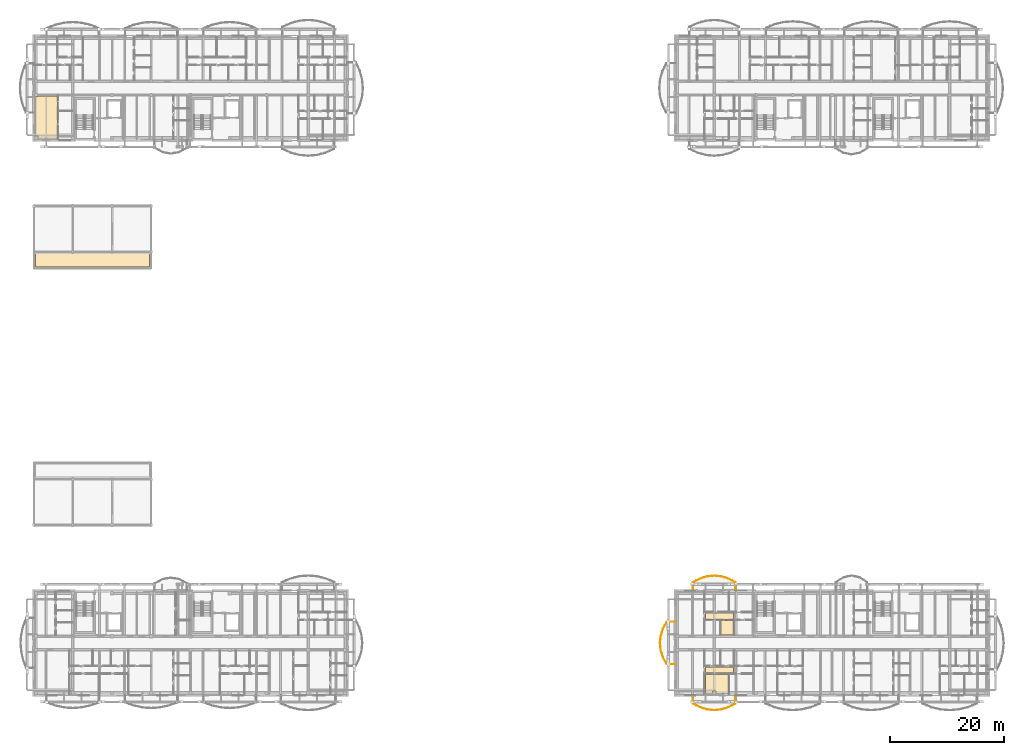
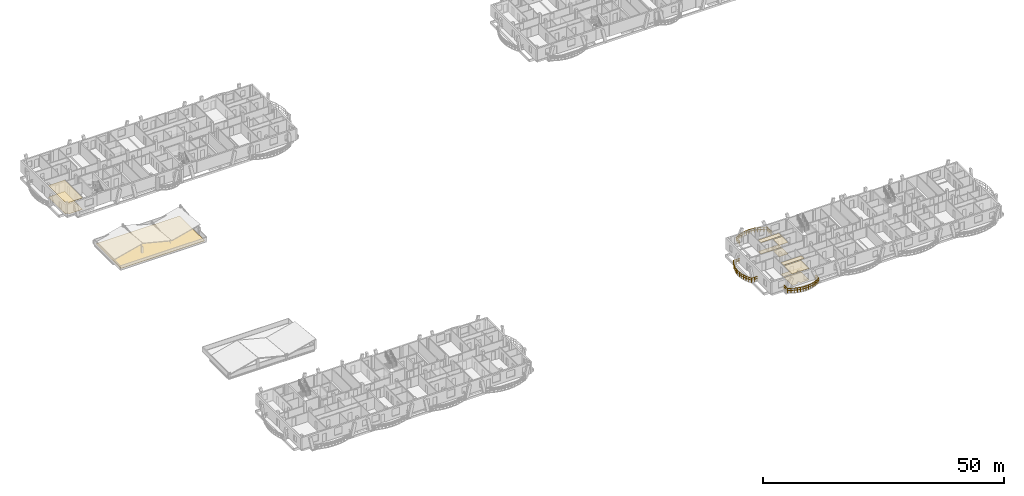
# One storey, part 42 of 50: 11 coverings, 3 railings.
"""IFC4 building model written with IfcOpenShell, lengths in metres."""

from ifc_helpers import new_model, si_unit, direction, frame, origin, origin_2d, place, context, subcontext, project, spatial, polyline, rectangle, outline, extrude, material, layer, layer_set, type_object, element, save


model = new_model("IFC4")

# Units and contexts
model_context = context("Model", 3, precision=1e-05, world=origin(), true_north=direction((0.0, 1.0)))
body_context = subcontext(model_context, "Body", "Model", "MODEL_VIEW")
ifc_project = project(units=[si_unit("LENGTHUNIT", "METRE"), si_unit("AREAUNIT", "SQUARE_METRE"), si_unit("VOLUMEUNIT", "CUBIC_METRE"), si_unit("PLANEANGLEUNIT", "RADIAN"), si_unit("MASSUNIT", "GRAM", prefix="KILO")], contexts=[model_context])

# Site, building, storey
site_placement = place(None, origin())
site = spatial("IfcSite", under=ifc_project, at=site_placement, CompositionType="ELEMENT")
building_placement = place(site_placement, origin())
building = spatial("IfcBuilding", under=site, at=building_placement, Name="Zavelmont Quarter", CompositionType="ELEMENT")
storey_placement = place(building_placement, frame((0.0, 0.0, 11.199951171875)))
storey = spatial("IfcBuildingStorey", under=building, at=storey_placement, Name="L03", CompositionType="ELEMENT", Elevation=11.199951171875)

# Coverings
ifc_material_1 = material(Name="Perforated acoustic gypsum board")
ifc_layer_1 = layer(ifc_material_1, 0.02490234375)
ifc_layer_set_1 = layer_set([ifc_layer_1], Name="Perforated acoustic gypsum board")
covering_type_1 = type_object("IfcCoveringType", Name="CV-CL01", PredefinedType="CEILING", material=ifc_layer_set_1)
covering_1_placement = place(storey_placement, frame((0.0, 0.0, 2.9150390625)))
element("IfcCovering", 1, at=covering_1_placement, inside=storey, type_object=covering_type_1, Name="L03 Residents Study Lounge acoustic ceiling", PredefinedType="CEILING", context=body_context, shape_type="SweptSolid", body=[
    extrude(outline(polyline([(0.22998046875, 105.31005859375), (0.72998046875, 105.31005859375), (0.72998046875, 105.3701171875), (4.169921875, 105.3701171875), (4.169921875, 97.8798828125), (0.72998046875, 97.8798828125), (0.72998046875, 98.330078125), (0.22998046875, 98.330078125), (0.22998046875, 105.31005859375)])), origin(), (0.0, 0.0, 1.0), 0.02490234375),
])
covering_2_placement = place(storey_placement, frame((0.0, 0.0, 2.9150390625)))
element("IfcCovering", 2, at=covering_2_placement, inside=storey, type_object=covering_type_1, Name="L03 Master Bedroom acoustic ceiling", PredefinedType="CEILING", context=body_context, shape_type="SweptSolid", body=[
    extrude(outline(polyline([(118.1298828125, 3.669921875), (122.169921875, 3.669921875), (122.169921875, 0.280029296875), (119.989990234375, 0.280029296875), (119.989990234375, 0.72998046875), (119.409912109375, 0.72998046875), (119.409912109375, 0.280029296875), (118.1298828125, 0.280029296875), (118.1298828125, 3.669921875)])), origin(), (0.0, 0.0, 1.0), 0.02490234375),
])
ifc_material_2 = material(Name="Slatted European ash acoustic baffle ceiling")
ifc_layer_2 = layer(ifc_material_2, 0.0400390625)
ifc_layer_set_2 = layer_set([ifc_layer_2], Name="Slatted European ash acoustic baffle ceiling")
covering_type_2 = type_object("IfcCoveringType", Name="CV-CL02", PredefinedType="CEILING", material=ifc_layer_set_2)
covering_3_placement = place(storey_placement, frame((0.0, 0.0, 2.900146484375)))
element("IfcCovering", 3, at=covering_3_placement, inside=storey, type_object=covering_type_2, Name="L03 Apartment Hall acoustic ceiling", PredefinedType="CEILING", context=body_context, shape_type="SweptSolid", body=[
    extrude(outline(polyline([(118.1298828125, 5.02001953125), (123.070068359375, 5.02001953125), (123.070068359375, 3.929931640625), (118.1298828125, 3.929931640625), (118.1298828125, 5.02001953125)])), origin(), (0.0, 0.0, 1.0), 0.039794921875),
])
covering_4_placement = place(storey_placement, frame((0.0, 0.0, 2.900146484375)))
element("IfcCovering", 4, at=covering_4_placement, inside=storey, type_object=covering_type_2, Name="L03 Apartment Hall acoustic ceiling", PredefinedType="CEILING", context=body_context, shape_type="SweptSolid", body=[
    extrude(outline(polyline([(118.1298828125, 14.469970703125), (123.070068359375, 14.469970703125), (123.070068359375, 13.3798828125), (118.1298828125, 13.3798828125), (118.1298828125, 14.469970703125)])), origin(), (0.0, 0.0, 1.0), 0.039794921875),
])
ifc_material_3 = material(Name="Moisture-resistant painted gypsum ceiling")
ifc_layer_3 = layer(ifc_material_3, 0.02001953125)
ifc_layer_set_3 = layer_set([ifc_layer_3], Name="Moisture-resistant painted gypsum ceiling")
covering_type_3 = type_object("IfcCoveringType", Name="CV-CL04", PredefinedType="CEILING", material=ifc_layer_set_3)
covering_5_placement = place(storey_placement, frame((0.0, 0.0, 2.920166015625)))
element("IfcCovering", 5, at=covering_5_placement, inside=storey, type_object=covering_type_3, Name="L03 Bathroom acoustic ceiling", PredefinedType="CEILING", context=body_context, shape_type="SweptSolid", body=[
    extrude(outline(polyline([(120.929931640625, 13.1201171875), (123.070068359375, 13.1201171875), (123.070068359375, 10.6298828125), (120.929931640625, 10.6298828125), (120.929931640625, 13.1201171875)])), origin(), (0.0, 0.0, 1.0), 0.019775390625),
])
ifc_material_4 = material(Name="Engineered European oak parquet")
ifc_layer_4 = layer(ifc_material_4, 0.02197265625)
ifc_layer_set_4 = layer_set([ifc_layer_4], Name="Engineered European oak parquet")
covering_type_4 = type_object("IfcCoveringType", Name="CV-FL01", PredefinedType="FLOORING", material=ifc_layer_set_4)
covering_6_placement = place(storey_placement, origin())
element("IfcCovering", 6, at=covering_6_placement, inside=storey, type_object=covering_type_4, Name="L03 Residents Study Lounge floor finish", PredefinedType="FLOORING", context=body_context, shape_type="SweptSolid", body=[
    extrude(outline(polyline([(0.22998046875, 105.31005859375), (0.72998046875, 105.31005859375), (0.72998046875, 105.3701171875), (4.169921875, 105.3701171875), (4.169921875, 97.8798828125), (0.72998046875, 97.8798828125), (0.72998046875, 98.330078125), (0.22998046875, 98.330078125), (0.22998046875, 105.31005859375)])), origin(), (0.0, 0.0, 1.0), 0.02197265625),
])
covering_7_placement = place(storey_placement, origin())
element("IfcCovering", 7, at=covering_7_placement, inside=storey, type_object=covering_type_4, Name="L03 Master Bedroom floor finish", PredefinedType="FLOORING", context=body_context, shape_type="SweptSolid", body=[
    extrude(outline(polyline([(118.1298828125, 3.669921875), (122.169921875, 3.669921875), (122.169921875, 0.280029296875), (119.989990234375, 0.280029296875), (119.989990234375, 0.72998046875), (119.409912109375, 0.72998046875), (119.409912109375, 0.280029296875), (118.1298828125, 0.280029296875), (118.1298828125, 3.669921875)])), origin(), (0.0, 0.0, 1.0), 0.02197265625),
])
ifc_material_5 = material(Name="Honed Belgian bluestone tile", Category="masonry")
ifc_layer_5 = layer(ifc_material_5, 0.030029296875)
ifc_layer_set_5 = layer_set([ifc_layer_5], Name="Honed Belgian bluestone tile")
covering_type_5 = type_object("IfcCoveringType", Name="CV-FL02", PredefinedType="FLOORING", material=ifc_layer_set_5)
covering_8_placement = place(storey_placement, origin())
element("IfcCovering", 8, at=covering_8_placement, inside=storey, type_object=covering_type_5, Name="L03 Apartment Hall floor finish", PredefinedType="FLOORING", context=body_context, shape_type="SweptSolid", body=[
    extrude(outline(polyline([(118.1298828125, 5.02001953125), (123.070068359375, 5.02001953125), (123.070068359375, 3.929931640625), (118.1298828125, 3.929931640625), (118.1298828125, 5.02001953125)])), origin(), (0.0, 0.0, 1.0), 0.030029296875),
])
covering_9_placement = place(storey_placement, origin())
element("IfcCovering", 9, at=covering_9_placement, inside=storey, type_object=covering_type_5, Name="L03 Apartment Hall floor finish", PredefinedType="FLOORING", context=body_context, shape_type="SweptSolid", body=[
    extrude(outline(polyline([(118.1298828125, 14.469970703125), (123.070068359375, 14.469970703125), (123.070068359375, 13.3798828125), (118.1298828125, 13.3798828125), (118.1298828125, 14.469970703125)])), origin(), (0.0, 0.0, 1.0), 0.030029296875),
])
ifc_material_6 = material(Name="Slip-resistant porcelain tile")
ifc_layer_6 = layer(ifc_material_6, 0.02587890625)
ifc_layer_set_6 = layer_set([ifc_layer_6], Name="Slip-resistant porcelain tile")
covering_type_6 = type_object("IfcCoveringType", Name="CV-FL04", PredefinedType="FLOORING", material=ifc_layer_set_6)
covering_10_placement = place(storey_placement, origin())
element("IfcCovering", 10, at=covering_10_placement, inside=storey, type_object=covering_type_6, Name="L03 Bathroom floor finish", PredefinedType="FLOORING", context=body_context, shape_type="SweptSolid", body=[
    extrude(outline(polyline([(120.929931640625, 13.1201171875), (123.070068359375, 13.1201171875), (123.070068359375, 10.6298828125), (120.929931640625, 10.6298828125), (120.929931640625, 13.1201171875)])), origin(), (0.0, 0.0, 1.0), 0.026123046875),
])
ifc_material_7 = material(Name="EPDM waterproofing membrane and mineral insulation")
ifc_layer_7 = layer(ifc_material_7, 0.094970703125)
ifc_layer_set_7 = layer_set([ifc_layer_7], Name="EPDM waterproofing membrane and mineral insulation")
covering_type_7 = type_object("IfcCoveringType", Name="CV-RF04", PredefinedType="ROOFING", material=ifc_layer_set_7)
covering_11_placement = place(storey_placement, origin())
element("IfcCovering", 11, at=covering_11_placement, inside=storey, type_object=covering_type_7, Name="L03 roof build-up CV-RF04", PredefinedType="ROOFING", context=body_context, shape_type="SweptSolid", body=[
    extrude(outline(polyline([(0.300048828125, 75.300048828125), (20.39990234375, 75.300048828125), (20.39990234375, 85.699951171875), (0.300048828125, 85.699951171875), (0.300048828125, 75.300048828125)])), origin(), (0.0, 0.0, 1.0), 0.094970703125),
])

# Railings
ifc_material_8 = material(Name="Powder-coated steel and tempered double safety glass", Category="steel")
railing_type = type_object("IfcRailingType", Name="RL-BAL1", PredefinedType="BALUSTRADE", material=ifc_material_8)
railing_1_placement = place(storey_placement, frame((115.963623046875, -0.02001953125, 0.0)))
element("IfcRailing", 12, at=railing_1_placement, inside=storey, type_object=railing_type, Name="L03 Block D curved balcony guard RL-BAL1", PredefinedType="BALUSTRADE", context=body_context, shape_type="SweptSolid", body=[
    extrude(rectangle(XDim=0.048095703125, YDim=0.048095703125, at=origin_2d()), frame((0.0, 0.0, 1.076171875), z_axis=(0.0, -1.0, 0.0), x_axis=(1.0, 0.0, 0.0)), (0.0, 0.0, 1.0), 1.448974609375),
    extrude(rectangle(XDim=0.048095703125, YDim=0.048095703125, at=origin_2d()), frame((0.0, 0.0, 0.550048828125), z_axis=(0.0, -1.0, 0.0), x_axis=(1.0, 0.0, 0.0)), (0.0, 0.0, 1.0), 1.448974609375),
    extrude(rectangle(XDim=0.048095703125, YDim=0.048095703125, at=origin_2d()), frame((0.0, -1.448974609375, 1.076171875), z_axis=(0.889101389026, -0.457710301427, 0.0), x_axis=(0.457710301427, 0.889101389026, 0.0)), (0.0, 0.0, 1.0), 1.400634765625),
    extrude(rectangle(XDim=0.048095703125, YDim=0.048095703125, at=origin_2d()), frame((0.0, -1.448974609375, 0.550048828125), z_axis=(0.889101389026, -0.457710301427, 0.0), x_axis=(0.457710301427, 0.889101389026, 0.0)), (0.0, 0.0, 1.0), 1.400634765625),
    extrude(rectangle(XDim=0.048095703125, YDim=0.048095703125, at=origin_2d()), frame((1.245361328125, -2.090087890625, 1.076171875), z_axis=(0.955454501436, -0.295138434783, 0.0), x_axis=(0.295138434783, 0.955454501436, 0.0)), (0.0, 0.0, 1.0), 1.3037109375),
    extrude(rectangle(XDim=0.048095703125, YDim=0.048095703125, at=origin_2d()), frame((1.245361328125, -2.090087890625, 0.550048828125), z_axis=(0.955454501436, -0.295138434783, 0.0), x_axis=(0.295138434783, 0.955454501436, 0.0)), (0.0, 0.0, 1.0), 1.3037109375),
    extrude(rectangle(XDim=0.048095703125, YDim=0.048095703125, at=origin_2d()), frame((2.490966796875, -2.474853515625, 1.076171875), z_axis=(0.99474534352, -0.102380181405, 0.0), x_axis=(0.102380181405, 0.99474534352, 0.0)), (0.0, 0.0, 1.0), 1.251953125),
    extrude(rectangle(XDim=0.048095703125, YDim=0.048095703125, at=origin_2d()), frame((2.490966796875, -2.474853515625, 0.550048828125), z_axis=(0.99474534352, -0.102380181405, 0.0), x_axis=(0.102380181405, 0.99474534352, 0.0)), (0.0, 0.0, 1.0), 1.251953125),
    extrude(rectangle(XDim=0.048095703125, YDim=0.048095703125, at=origin_2d()), frame((3.736328125, -2.60302734375, 1.076171875), z_axis=(0.994747386961, 0.102360325001, 0.0), x_axis=(-0.102360325001, 0.994747386961, 0.0)), (0.0, 0.0, 1.0), 1.252197265625),
    extrude(rectangle(XDim=0.048095703125, YDim=0.048095703125, at=origin_2d()), frame((3.736328125, -2.60302734375, 0.550048828125), z_axis=(0.994747386961, 0.102360325001, 0.0), x_axis=(-0.102360325001, 0.994747386961, 0.0)), (0.0, 0.0, 1.0), 1.252197265625),
    extrude(rectangle(XDim=0.048095703125, YDim=0.048095703125, at=origin_2d()), frame((4.98193359375, -2.474853515625, 1.076171875), z_axis=(0.955438184535, 0.295191252466, 0.0), x_axis=(-0.295191252466, 0.955438184535, 0.0)), (0.0, 0.0, 1.0), 1.303466796875),
    extrude(rectangle(XDim=0.048095703125, YDim=0.048095703125, at=origin_2d()), frame((4.98193359375, -2.474853515625, 0.550048828125), z_axis=(0.955438184535, 0.295191252466, 0.0), x_axis=(-0.295191252466, 0.955438184535, 0.0)), (0.0, 0.0, 1.0), 1.303466796875),
    extrude(rectangle(XDim=0.048095703125, YDim=0.048095703125, at=origin_2d()), frame((6.227294921875, -2.090087890625, 1.076171875), z_axis=(0.889101389026, 0.457710301427, 0.0), x_axis=(-0.457710301427, 0.889101389026, 0.0)), (0.0, 0.0, 1.0), 1.400634765625),
    extrude(rectangle(XDim=0.048095703125, YDim=0.048095703125, at=origin_2d()), frame((6.227294921875, -2.090087890625, 0.550048828125), z_axis=(0.889101389026, 0.457710301427, 0.0), x_axis=(-0.457710301427, 0.889101389026, 0.0)), (0.0, 0.0, 1.0), 1.400634765625),
    extrude(rectangle(XDim=0.048095703125, YDim=0.048095703125, at=origin_2d()), frame((7.47265625, -1.448974609375, 1.076171875), z_axis=(0.0, 1.0, 0.0), x_axis=(-1.0, 0.0, 0.0)), (0.0, 0.0, 1.0), 1.448974609375),
    extrude(rectangle(XDim=0.048095703125, YDim=0.048095703125, at=origin_2d()), frame((7.47265625, -1.448974609375, 0.550048828125), z_axis=(0.0, 1.0, 0.0), x_axis=(-1.0, 0.0, 0.0)), (0.0, 0.0, 1.0), 1.448974609375),
    extrude(rectangle(XDim=0.0419921875, YDim=0.0419921875, at=origin_2d()), origin(), (0.0, 0.0, 1.0), 1.052001953125),
    extrude(rectangle(XDim=0.0419921875, YDim=0.0419921875, at=origin_2d()), frame((0.0, -0.724609375, 0.0)), (0.0, 0.0, 1.0), 1.052001953125),
    extrude(rectangle(XDim=0.0419921875, YDim=0.0419921875, at=origin_2d()), frame((0.0, -1.448974609375, 0.0)), (0.0, 0.0, 1.0), 1.052001953125),
    extrude(rectangle(XDim=0.0419921875, YDim=0.0419921875, at=origin_2d()), frame((0.62255859375, -1.76953125, 0.0)), (0.0, 0.0, 1.0), 1.052001953125),
    extrude(rectangle(XDim=0.0419921875, YDim=0.0419921875, at=origin_2d()), frame((1.245361328125, -2.090087890625, 0.0)), (0.0, 0.0, 1.0), 1.052001953125),
    extrude(rectangle(XDim=0.0419921875, YDim=0.0419921875, at=origin_2d()), frame((1.8681640625, -2.282470703125, 0.0)), (0.0, 0.0, 1.0), 1.052001953125),
    extrude(rectangle(XDim=0.0419921875, YDim=0.0419921875, at=origin_2d()), frame((2.490966796875, -2.474853515625, 0.0)), (0.0, 0.0, 1.0), 1.052001953125),
    extrude(rectangle(XDim=0.0419921875, YDim=0.0419921875, at=origin_2d()), frame((3.11376953125, -2.5390625, 0.0)), (0.0, 0.0, 1.0), 1.052001953125),
    extrude(rectangle(XDim=0.0419921875, YDim=0.0419921875, at=origin_2d()), frame((3.736328125, -2.60302734375, 0.0)), (0.0, 0.0, 1.0), 1.052001953125),
    extrude(rectangle(XDim=0.0419921875, YDim=0.0419921875, at=origin_2d()), frame((4.359130859375, -2.5390625, 0.0)), (0.0, 0.0, 1.0), 1.052001953125),
    extrude(rectangle(XDim=0.0419921875, YDim=0.0419921875, at=origin_2d()), frame((4.98193359375, -2.474853515625, 0.0)), (0.0, 0.0, 1.0), 1.052001953125),
    extrude(rectangle(XDim=0.0419921875, YDim=0.0419921875, at=origin_2d()), frame((5.6044921875, -2.282470703125, 0.0)), (0.0, 0.0, 1.0), 1.052001953125),
    extrude(rectangle(XDim=0.0419921875, YDim=0.0419921875, at=origin_2d()), frame((6.227294921875, -2.090087890625, 0.0)), (0.0, 0.0, 1.0), 1.052001953125),
    extrude(rectangle(XDim=0.0419921875, YDim=0.0419921875, at=origin_2d()), frame((6.85009765625, -1.76953125, 0.0)), (0.0, 0.0, 1.0), 1.052001953125),
    extrude(rectangle(XDim=0.0419921875, YDim=0.0419921875, at=origin_2d()), frame((7.47265625, -1.448974609375, 0.0)), (0.0, 0.0, 1.0), 1.052001953125),
    extrude(rectangle(XDim=0.0419921875, YDim=0.0419921875, at=origin_2d()), frame((7.47265625, -0.724609375, 0.0)), (0.0, 0.0, 1.0), 1.052001953125),
    extrude(rectangle(XDim=0.0419921875, YDim=0.0419921875, at=origin_2d()), frame((7.47265625, 0.0, 0.0)), (0.0, 0.0, 1.0), 1.052001953125),
])
railing_2_placement = place(storey_placement, frame((112.780029296875, 12.936279296875, 0.0)))
element("IfcRailing", 13, at=railing_2_placement, inside=storey, type_object=railing_type, Name="L03 Block D curved balcony guard RL-BAL1", PredefinedType="BALUSTRADE", context=body_context, shape_type="SweptSolid", body=[
    extrude(rectangle(XDim=0.048095703125, YDim=0.048095703125, at=origin_2d()), frame((0.0, 0.0, 1.076171875), z_axis=(-1.0, 0.0, 0.0), x_axis=(0.0, -1.0, 0.0)), (0.0, 0.0, 1.0), 1.448974609375),
    extrude(rectangle(XDim=0.048095703125, YDim=0.048095703125, at=origin_2d()), frame((0.0, 0.0, 0.550048828125), z_axis=(-1.0, 0.0, 0.0), x_axis=(0.0, -1.0, 0.0)), (0.0, 0.0, 1.0), 1.448974609375),
    extrude(rectangle(XDim=0.048095703125, YDim=0.048095703125, at=origin_2d()), frame((-1.448974609375, 0.0, 1.076171875), z_axis=(-0.457710301427, -0.889101389026, 0.0), x_axis=(0.889101389026, -0.457710301427, 0.0)), (0.0, 0.0, 1.0), 1.400634765625),
    extrude(rectangle(XDim=0.048095703125, YDim=0.048095703125, at=origin_2d()), frame((-1.448974609375, 0.0, 0.550048828125), z_axis=(-0.457710301427, -0.889101389026, 0.0), x_axis=(0.889101389026, -0.457710301427, 0.0)), (0.0, 0.0, 1.0), 1.400634765625),
    extrude(rectangle(XDim=0.048095703125, YDim=0.048095703125, at=origin_2d()), frame((-2.090087890625, -1.245361328125, 1.076171875), z_axis=(-0.295191252466, -0.955438184535, 0.0), x_axis=(0.955438184535, -0.295191252466, 0.0)), (0.0, 0.0, 1.0), 1.303466796875),
    extrude(rectangle(XDim=0.048095703125, YDim=0.048095703125, at=origin_2d()), frame((-2.090087890625, -1.245361328125, 0.550048828125), z_axis=(-0.295191252466, -0.955438184535, 0.0), x_axis=(0.955438184535, -0.295191252466, 0.0)), (0.0, 0.0, 1.0), 1.303466796875),
    extrude(rectangle(XDim=0.048095703125, YDim=0.048095703125, at=origin_2d()), frame((-2.474853515625, -2.49072265625, 1.076171875), z_axis=(-0.102360325001, -0.994747386961, 0.0), x_axis=(0.994747386961, -0.102360325001, 0.0)), (0.0, 0.0, 1.0), 1.252197265625),
    extrude(rectangle(XDim=0.048095703125, YDim=0.048095703125, at=origin_2d()), frame((-2.474853515625, -2.49072265625, 0.550048828125), z_axis=(-0.102360325001, -0.994747386961, 0.0), x_axis=(0.994747386961, -0.102360325001, 0.0)), (0.0, 0.0, 1.0), 1.252197265625),
    extrude(rectangle(XDim=0.048095703125, YDim=0.048095703125, at=origin_2d()), frame((-2.60302734375, -3.736328125, 1.076171875), z_axis=(0.102380181405, -0.99474534352, 0.0), x_axis=(0.99474534352, 0.102380181405, 0.0)), (0.0, 0.0, 1.0), 1.251953125),
    extrude(rectangle(XDim=0.048095703125, YDim=0.048095703125, at=origin_2d()), frame((-2.60302734375, -3.736328125, 0.550048828125), z_axis=(0.102380181405, -0.99474534352, 0.0), x_axis=(0.99474534352, 0.102380181405, 0.0)), (0.0, 0.0, 1.0), 1.251953125),
    extrude(rectangle(XDim=0.048095703125, YDim=0.048095703125, at=origin_2d()), frame((-2.474853515625, -4.981689453125, 1.076171875), z_axis=(0.295138434783, -0.955454501436, 0.0), x_axis=(0.955454501436, 0.295138434783, 0.0)), (0.0, 0.0, 1.0), 1.3037109375),
    extrude(rectangle(XDim=0.048095703125, YDim=0.048095703125, at=origin_2d()), frame((-2.474853515625, -4.981689453125, 0.550048828125), z_axis=(0.295138434783, -0.955454501436, 0.0), x_axis=(0.955454501436, 0.295138434783, 0.0)), (0.0, 0.0, 1.0), 1.3037109375),
    extrude(rectangle(XDim=0.048095703125, YDim=0.048095703125, at=origin_2d()), frame((-2.090087890625, -6.227294921875, 1.076171875), z_axis=(0.457710301427, -0.889101389026, 0.0), x_axis=(0.889101389026, 0.457710301427, 0.0)), (0.0, 0.0, 1.0), 1.400634765625),
    extrude(rectangle(XDim=0.048095703125, YDim=0.048095703125, at=origin_2d()), frame((-2.090087890625, -6.227294921875, 0.550048828125), z_axis=(0.457710301427, -0.889101389026, 0.0), x_axis=(0.889101389026, 0.457710301427, 0.0)), (0.0, 0.0, 1.0), 1.400634765625),
    extrude(rectangle(XDim=0.048095703125, YDim=0.048095703125, at=origin_2d()), frame((-1.448974609375, -7.47265625, 1.076171875), z_axis=(1.0, 0.0, 0.0), x_axis=(0.0, 1.0, 0.0)), (0.0, 0.0, 1.0), 1.448974609375),
    extrude(rectangle(XDim=0.048095703125, YDim=0.048095703125, at=origin_2d()), frame((-1.448974609375, -7.47265625, 0.550048828125), z_axis=(1.0, 0.0, 0.0), x_axis=(0.0, 1.0, 0.0)), (0.0, 0.0, 1.0), 1.448974609375),
    extrude(rectangle(XDim=0.0419921875, YDim=0.0419921875, at=origin_2d()), origin(), (0.0, 0.0, 1.0), 1.052001953125),
    extrude(rectangle(XDim=0.0419921875, YDim=0.0419921875, at=origin_2d()), frame((-0.724609375, 0.0, 0.0)), (0.0, 0.0, 1.0), 1.052001953125),
    extrude(rectangle(XDim=0.0419921875, YDim=0.0419921875, at=origin_2d()), frame((-1.448974609375, 0.0, 0.0)), (0.0, 0.0, 1.0), 1.052001953125),
    extrude(rectangle(XDim=0.0419921875, YDim=0.0419921875, at=origin_2d()), frame((-1.76953125, -0.62255859375, 0.0)), (0.0, 0.0, 1.0), 1.052001953125),
    extrude(rectangle(XDim=0.0419921875, YDim=0.0419921875, at=origin_2d()), frame((-2.090087890625, -1.245361328125, 0.0)), (0.0, 0.0, 1.0), 1.052001953125),
    extrude(rectangle(XDim=0.0419921875, YDim=0.0419921875, at=origin_2d()), frame((-2.282470703125, -1.8681640625, 0.0)), (0.0, 0.0, 1.0), 1.052001953125),
    extrude(rectangle(XDim=0.0419921875, YDim=0.0419921875, at=origin_2d()), frame((-2.474853515625, -2.49072265625, 0.0)), (0.0, 0.0, 1.0), 1.052001953125),
    extrude(rectangle(XDim=0.0419921875, YDim=0.0419921875, at=origin_2d()), frame((-2.5390625, -3.113525390625, 0.0)), (0.0, 0.0, 1.0), 1.052001953125),
    extrude(rectangle(XDim=0.0419921875, YDim=0.0419921875, at=origin_2d()), frame((-2.60302734375, -3.736328125, 0.0)), (0.0, 0.0, 1.0), 1.052001953125),
    extrude(rectangle(XDim=0.0419921875, YDim=0.0419921875, at=origin_2d()), frame((-2.5390625, -4.35888671875, 0.0)), (0.0, 0.0, 1.0), 1.052001953125),
    extrude(rectangle(XDim=0.0419921875, YDim=0.0419921875, at=origin_2d()), frame((-2.474853515625, -4.981689453125, 0.0)), (0.0, 0.0, 1.0), 1.052001953125),
    extrude(rectangle(XDim=0.0419921875, YDim=0.0419921875, at=origin_2d()), frame((-2.282470703125, -5.6044921875, 0.0)), (0.0, 0.0, 1.0), 1.052001953125),
    extrude(rectangle(XDim=0.0419921875, YDim=0.0419921875, at=origin_2d()), frame((-2.090087890625, -6.227294921875, 0.0)), (0.0, 0.0, 1.0), 1.052001953125),
    extrude(rectangle(XDim=0.0419921875, YDim=0.0419921875, at=origin_2d()), frame((-1.76953125, -6.85009765625, 0.0)), (0.0, 0.0, 1.0), 1.052001953125),
    extrude(rectangle(XDim=0.0419921875, YDim=0.0419921875, at=origin_2d()), frame((-1.448974609375, -7.47265625, 0.0)), (0.0, 0.0, 1.0), 1.052001953125),
    extrude(rectangle(XDim=0.0419921875, YDim=0.0419921875, at=origin_2d()), frame((-0.724609375, -7.47265625, 0.0)), (0.0, 0.0, 1.0), 1.052001953125),
    extrude(rectangle(XDim=0.0419921875, YDim=0.0419921875, at=origin_2d()), frame((0.0, -7.47265625, 0.0)), (0.0, 0.0, 1.0), 1.052001953125),
])
railing_3_placement = place(storey_placement, frame((123.436279296875, 18.419921875, 0.0)))
element("IfcRailing", 14, at=railing_3_placement, inside=storey, type_object=railing_type, Name="L03 Block D curved balcony guard RL-BAL1", PredefinedType="BALUSTRADE", context=body_context, shape_type="SweptSolid", body=[
    extrude(rectangle(XDim=0.048095703125, YDim=0.048095703125, at=origin_2d()), frame((0.0, 0.0, 1.076171875), z_axis=(0.0, 1.0, 0.0), x_axis=(-1.0, 0.0, 0.0)), (0.0, 0.0, 1.0), 1.448974609375),
    extrude(rectangle(XDim=0.048095703125, YDim=0.048095703125, at=origin_2d()), frame((0.0, 0.0, 0.550048828125), z_axis=(0.0, 1.0, 0.0), x_axis=(-1.0, 0.0, 0.0)), (0.0, 0.0, 1.0), 1.448974609375),
    extrude(rectangle(XDim=0.048095703125, YDim=0.048095703125, at=origin_2d()), frame((0.0, 1.448974609375, 1.076171875), z_axis=(-0.889101389026, 0.457710301427, 0.0), x_axis=(-0.457710301427, -0.889101389026, 0.0)), (0.0, 0.0, 1.0), 1.400634765625),
    extrude(rectangle(XDim=0.048095703125, YDim=0.048095703125, at=origin_2d()), frame((0.0, 1.448974609375, 0.550048828125), z_axis=(-0.889101389026, 0.457710301427, 0.0), x_axis=(-0.457710301427, -0.889101389026, 0.0)), (0.0, 0.0, 1.0), 1.400634765625),
    extrude(rectangle(XDim=0.048095703125, YDim=0.048095703125, at=origin_2d()), frame((-1.245361328125, 2.090087890625, 1.076171875), z_axis=(-0.955438184535, 0.295191252466, 0.0), x_axis=(-0.295191252466, -0.955438184535, 0.0)), (0.0, 0.0, 1.0), 1.303466796875),
    extrude(rectangle(XDim=0.048095703125, YDim=0.048095703125, at=origin_2d()), frame((-1.245361328125, 2.090087890625, 0.550048828125), z_axis=(-0.955438184535, 0.295191252466, 0.0), x_axis=(-0.295191252466, -0.955438184535, 0.0)), (0.0, 0.0, 1.0), 1.303466796875),
    extrude(rectangle(XDim=0.048095703125, YDim=0.048095703125, at=origin_2d()), frame((-2.49072265625, 2.474853515625, 1.076171875), z_axis=(-0.994747386961, 0.102360325001, 0.0), x_axis=(-0.102360325001, -0.994747386961, 0.0)), (0.0, 0.0, 1.0), 1.252197265625),
    extrude(rectangle(XDim=0.048095703125, YDim=0.048095703125, at=origin_2d()), frame((-2.49072265625, 2.474853515625, 0.550048828125), z_axis=(-0.994747386961, 0.102360325001, 0.0), x_axis=(-0.102360325001, -0.994747386961, 0.0)), (0.0, 0.0, 1.0), 1.252197265625),
    extrude(rectangle(XDim=0.048095703125, YDim=0.048095703125, at=origin_2d()), frame((-3.736328125, 2.60302734375, 1.076171875), z_axis=(-0.99474534352, -0.102380181405, 0.0), x_axis=(0.102380181405, -0.99474534352, 0.0)), (0.0, 0.0, 1.0), 1.251953125),
    extrude(rectangle(XDim=0.048095703125, YDim=0.048095703125, at=origin_2d()), frame((-3.736328125, 2.60302734375, 0.550048828125), z_axis=(-0.99474534352, -0.102380181405, 0.0), x_axis=(0.102380181405, -0.99474534352, 0.0)), (0.0, 0.0, 1.0), 1.251953125),
    extrude(rectangle(XDim=0.048095703125, YDim=0.048095703125, at=origin_2d()), frame((-4.981689453125, 2.474853515625, 1.076171875), z_axis=(-0.955454501436, -0.295138434783, 0.0), x_axis=(0.295138434783, -0.955454501436, 0.0)), (0.0, 0.0, 1.0), 1.3037109375),
    extrude(rectangle(XDim=0.048095703125, YDim=0.048095703125, at=origin_2d()), frame((-4.981689453125, 2.474853515625, 0.550048828125), z_axis=(-0.955454501436, -0.295138434783, 0.0), x_axis=(0.295138434783, -0.955454501436, 0.0)), (0.0, 0.0, 1.0), 1.3037109375),
    extrude(rectangle(XDim=0.048095703125, YDim=0.048095703125, at=origin_2d()), frame((-6.227294921875, 2.090087890625, 1.076171875), z_axis=(-0.889101389026, -0.457710301427, 0.0), x_axis=(0.457710301427, -0.889101389026, 0.0)), (0.0, 0.0, 1.0), 1.400634765625),
    extrude(rectangle(XDim=0.048095703125, YDim=0.048095703125, at=origin_2d()), frame((-6.227294921875, 2.090087890625, 0.550048828125), z_axis=(-0.889101389026, -0.457710301427, 0.0), x_axis=(0.457710301427, -0.889101389026, 0.0)), (0.0, 0.0, 1.0), 1.400634765625),
    extrude(rectangle(XDim=0.048095703125, YDim=0.048095703125, at=origin_2d()), frame((-7.47265625, 1.448974609375, 1.076171875), z_axis=(0.0, -1.0, 0.0), x_axis=(1.0, 0.0, 0.0)), (0.0, 0.0, 1.0), 1.448974609375),
    extrude(rectangle(XDim=0.048095703125, YDim=0.048095703125, at=origin_2d()), frame((-7.47265625, 1.448974609375, 0.550048828125), z_axis=(0.0, -1.0, 0.0), x_axis=(1.0, 0.0, 0.0)), (0.0, 0.0, 1.0), 1.448974609375),
    extrude(rectangle(XDim=0.0419921875, YDim=0.0419921875, at=origin_2d()), origin(), (0.0, 0.0, 1.0), 1.052001953125),
    extrude(rectangle(XDim=0.0419921875, YDim=0.0419921875, at=origin_2d()), frame((0.0, 0.724609375, 0.0)), (0.0, 0.0, 1.0), 1.052001953125),
    extrude(rectangle(XDim=0.0419921875, YDim=0.0419921875, at=origin_2d()), frame((0.0, 1.448974609375, 0.0)), (0.0, 0.0, 1.0), 1.052001953125),
    extrude(rectangle(XDim=0.0419921875, YDim=0.0419921875, at=origin_2d()), frame((-0.62255859375, 1.76953125, 0.0)), (0.0, 0.0, 1.0), 1.052001953125),
    extrude(rectangle(XDim=0.0419921875, YDim=0.0419921875, at=origin_2d()), frame((-1.245361328125, 2.090087890625, 0.0)), (0.0, 0.0, 1.0), 1.052001953125),
    extrude(rectangle(XDim=0.0419921875, YDim=0.0419921875, at=origin_2d()), frame((-1.8681640625, 2.282470703125, 0.0)), (0.0, 0.0, 1.0), 1.052001953125),
    extrude(rectangle(XDim=0.0419921875, YDim=0.0419921875, at=origin_2d()), frame((-2.49072265625, 2.474853515625, 0.0)), (0.0, 0.0, 1.0), 1.052001953125),
    extrude(rectangle(XDim=0.0419921875, YDim=0.0419921875, at=origin_2d()), frame((-3.113525390625, 2.5390625, 0.0)), (0.0, 0.0, 1.0), 1.052001953125),
    extrude(rectangle(XDim=0.0419921875, YDim=0.0419921875, at=origin_2d()), frame((-3.736328125, 2.60302734375, 0.0)), (0.0, 0.0, 1.0), 1.052001953125),
    extrude(rectangle(XDim=0.0419921875, YDim=0.0419921875, at=origin_2d()), frame((-4.35888671875, 2.5390625, 0.0)), (0.0, 0.0, 1.0), 1.052001953125),
    extrude(rectangle(XDim=0.0419921875, YDim=0.0419921875, at=origin_2d()), frame((-4.981689453125, 2.474853515625, 0.0)), (0.0, 0.0, 1.0), 1.052001953125),
    extrude(rectangle(XDim=0.0419921875, YDim=0.0419921875, at=origin_2d()), frame((-5.6044921875, 2.282470703125, 0.0)), (0.0, 0.0, 1.0), 1.052001953125),
    extrude(rectangle(XDim=0.0419921875, YDim=0.0419921875, at=origin_2d()), frame((-6.227294921875, 2.090087890625, 0.0)), (0.0, 0.0, 1.0), 1.052001953125),
    extrude(rectangle(XDim=0.0419921875, YDim=0.0419921875, at=origin_2d()), frame((-6.85009765625, 1.76953125, 0.0)), (0.0, 0.0, 1.0), 1.052001953125),
    extrude(rectangle(XDim=0.0419921875, YDim=0.0419921875, at=origin_2d()), frame((-7.47265625, 1.448974609375, 0.0)), (0.0, 0.0, 1.0), 1.052001953125),
    extrude(rectangle(XDim=0.0419921875, YDim=0.0419921875, at=origin_2d()), frame((-7.47265625, 0.724609375, 0.0)), (0.0, 0.0, 1.0), 1.052001953125),
    extrude(rectangle(XDim=0.0419921875, YDim=0.0419921875, at=origin_2d()), frame((-7.47265625, 0.0, 0.0)), (0.0, 0.0, 1.0), 1.052001953125),
])

save(model, "model.ifc")
